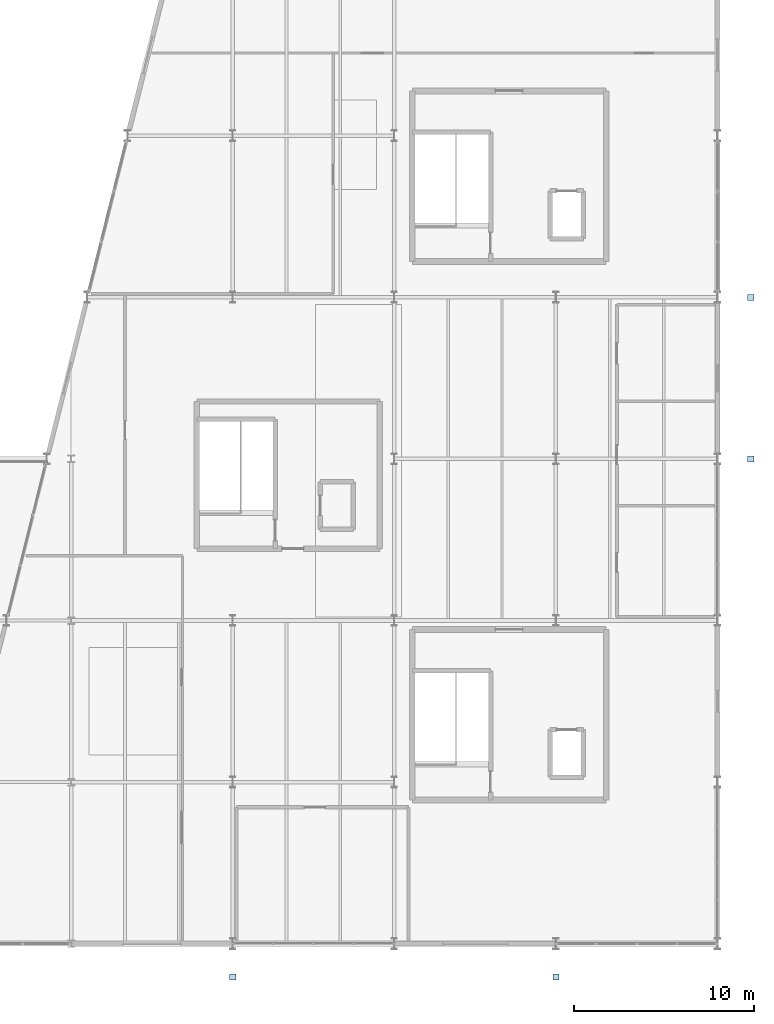
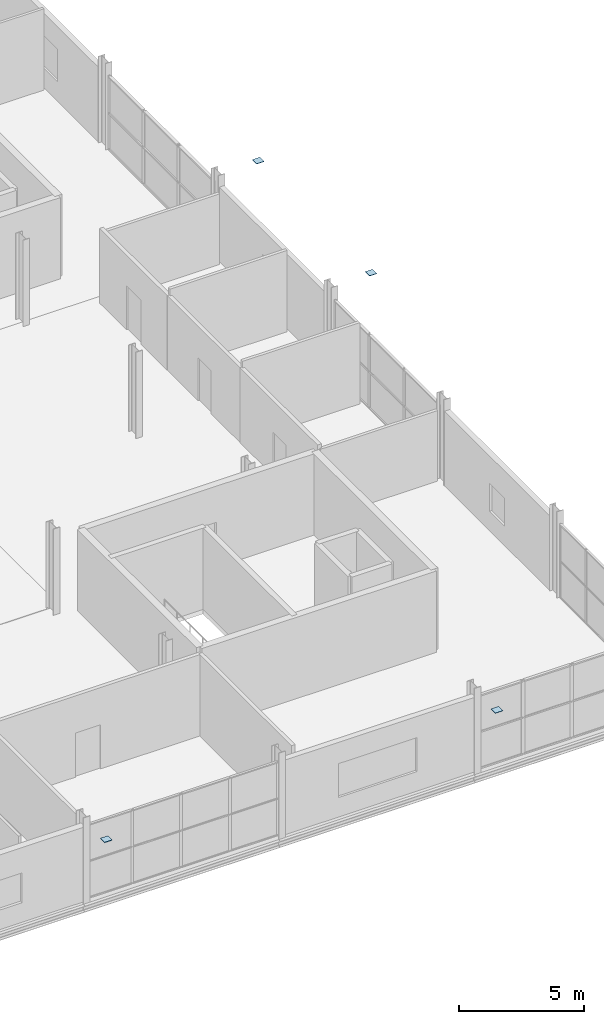
# One storey, part 38 of 44: 4 plates.
"""IFC4 building model written with IfcOpenShell, lengths in metres."""

from ifc_helpers import new_model, si_unit, direction, frame, origin, origin_2d, place, context, subcontext, project, spatial, rectangle, extrude, material, layer, layer_set, type_object, element, save


model = new_model("IFC4")

# Units and contexts
model_context = context("Model", 3, precision=1e-05, world=origin(), true_north=direction((0.0, 1.0)))
body_context = subcontext(model_context, "Body", "Model", "MODEL_VIEW")
ifc_project = project(units=[si_unit("LENGTHUNIT", "METRE"), si_unit("AREAUNIT", "SQUARE_METRE"), si_unit("VOLUMEUNIT", "CUBIC_METRE"), si_unit("PLANEANGLEUNIT", "RADIAN"), si_unit("MASSUNIT", "GRAM", prefix="KILO")], contexts=[model_context])

# Site, building, storey
site_placement = place(None, origin())
site = spatial("IfcSite", under=ifc_project, at=site_placement, CompositionType="ELEMENT")
building_placement = place(site_placement, origin())
building = spatial("IfcBuilding", under=site, at=building_placement, Name="Deido Ridge Mobility Hub", CompositionType="ELEMENT")
storey_placement = place(building_placement, frame((0.0, 0.0, 25.199951171875)))
storey = spatial("IfcBuildingStorey", under=building, at=storey_placement, Name="L06", CompositionType="ELEMENT", Elevation=25.199951171875)

# Plates
ifc_material = material(Name="Steel S355J2 EN 10025-2", Category="steel")
ifc_layer = layer(ifc_material, 0.02197265625, Name="Steel S355J2 EN 10025-2")
ifc_layer_set = layer_set([ifc_layer], Name="Steel S355J2 EN 10025-2")
plate_type = type_object("IfcPlateType", Name="PLT-CAP-22", PredefinedType="USERDEFINED", material=ifc_layer_set)
for number, where, z_axis, x_axis, name in (
    (1, (153.0, -1.85009765625, 4.0390625), (0.0, 0.0, 1.0), (1.0, 0.0, 0.0), "Diagrid node cap plate EC2 152"),
    (2, (171.0, -1.85009765625, 4.0390625), (0.0, 0.0, 1.0), (1.0, 0.0, 0.0), "Diagrid node cap plate EC2 153"),
    (3, (181.85009765625, 27.0, 4.0390625), (0.0, 0.0, 1.0), (1.0, 0.0, 0.0), "Diagrid node cap plate EC2 160"),
    (4, (181.85009765625, 36.0, 4.0390625), (0.0, 0.0, 1.0), (1.0, 0.0, 0.0), "Diagrid node cap plate EC2 161"),
):
    element("IfcPlate", number, at=place(storey_placement, frame(where, z_axis=z_axis, x_axis=x_axis)), inside=storey, type_object=plate_type, Name=name, ObjectType="END CAP PLATE", PredefinedType="USERDEFINED", context=body_context, shape_type="SweptSolid", body=[
        extrude(rectangle(XDim=0.340087890625, YDim=0.340087890625, at=origin_2d()), origin(), (0.0, 0.0, 1.0), 0.02197265625),
    ])

save(model, "model.ifc")
